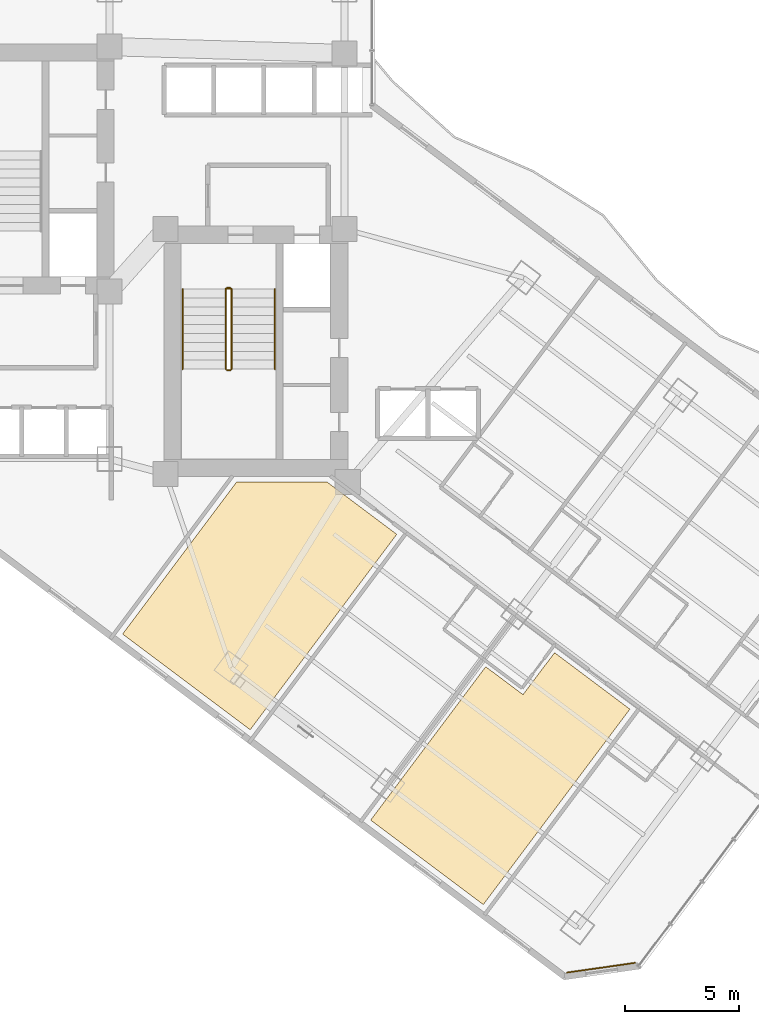
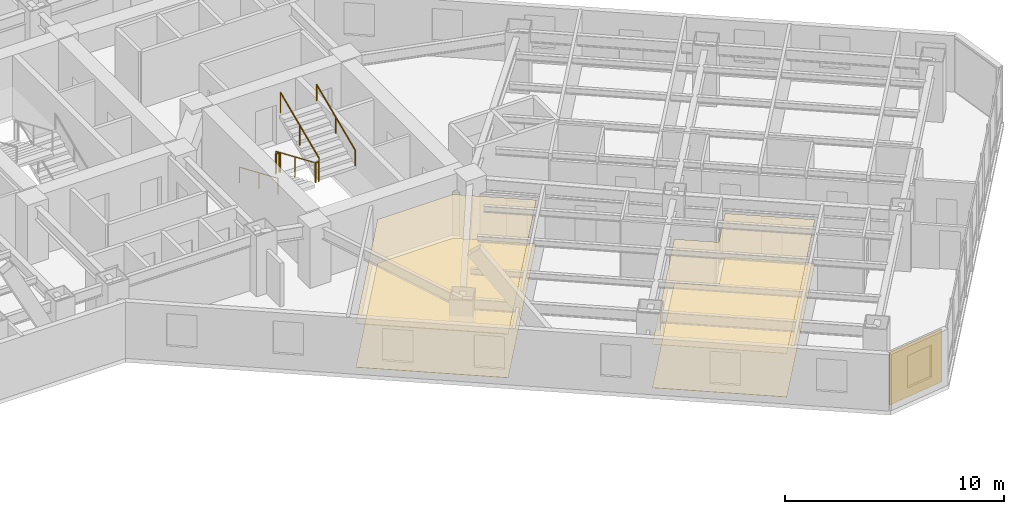
# One storey, part 29 of 32: 7 railings, 5 coverings.
"""IFC4 building model written with IfcOpenShell, lengths in metres."""

from ifc_helpers import new_model, si_unit, direction, frame, origin, origin_2d, place, context, subcontext, project, spatial, polyline, rectangle, circle, outline, extrude, material, layer, layer_set, type_object, element, save


model = new_model("IFC4")

# Units and contexts
model_context = context("Model", 3, precision=1e-05, world=origin(), true_north=direction((0.0, 1.0)))
body_context = subcontext(model_context, "Body", "Model", "MODEL_VIEW")
ifc_project = project(units=[si_unit("LENGTHUNIT", "METRE"), si_unit("AREAUNIT", "SQUARE_METRE"), si_unit("VOLUMEUNIT", "CUBIC_METRE"), si_unit("PLANEANGLEUNIT", "RADIAN"), si_unit("MASSUNIT", "GRAM", prefix="KILO")], contexts=[model_context])

# Site, building, storey
site_placement = place(None, origin())
site = spatial("IfcSite", under=ifc_project, at=site_placement, CompositionType="ELEMENT")
building_placement = place(site_placement, origin())
building = spatial("IfcBuilding", under=site, at=building_placement, Name="Hatsunagi Terrace Concourse", CompositionType="ELEMENT")
storey_placement = place(building_placement, frame((0.0, 0.0, 36.60009765625)))
storey = spatial("IfcBuildingStorey", under=building, at=storey_placement, Name="L08", CompositionType="ELEMENT", Elevation=36.60009765625)

# Coverings
ifc_material_1 = material(Name="Acoustic mineral board", Category="gypsum")
ifc_layer_1 = layer(ifc_material_1, 0.02001953125)
ifc_layer_set_1 = layer_set([ifc_layer_1], Name="AcousticMineralCeiling_20")
covering_type_1 = type_object("IfcCoveringType", Name="AcousticMineralCeiling_20", PredefinedType="CEILING", material=ifc_layer_set_1)
covering_1_placement = place(storey_placement, frame((0.0, 0.0, 2.419921875)))
element("IfcCovering", 1, at=covering_1_placement, inside=storey, type_object=covering_type_1, Name="Suspended Ceiling L08-2", PredefinedType="CEILING", context=body_context, shape_type="SweptSolid", body=[
    extrude(outline(polyline([(49.75, 5.64990234375), (56.181884765625, 14.22607421875), (52.8759765625, 16.705078125), (51.491943359375, 14.862060546875), (49.85302734375, 16.087890625), (44.805908203125, 9.35791015625), (49.75, 5.64990234375)])), origin(), (0.0, 0.0, 1.0), 0.02001953125),
])
ifc_material_2 = material(Name="Hardwood timber", Category="wood")
ifc_layer_2 = layer(ifc_material_2, 0.014892578125)
ifc_layer_set_2 = layer_set([ifc_layer_2], Name="HardwoodTimberFlooring_15")
covering_type_2 = type_object("IfcCoveringType", Name="HardwoodTimberFlooring_15", PredefinedType="FLOORING", material=ifc_layer_set_2)
covering_2_placement = place(storey_placement, origin())
element("IfcCovering", 2, at=covering_2_placement, inside=storey, type_object=covering_type_2, Name="Finished Flooring L08-1", PredefinedType="FLOORING", context=body_context, shape_type="SweptSolid", body=[
    extrude(outline(polyline([(39.51806640625, 13.323974609375), (45.949951171875, 21.89990234375), (42.89697265625, 24.18994140625), (38.9169921875, 24.18994140625), (33.91796875, 17.52392578125), (39.51806640625, 13.323974609375)])), origin(), (0.0, 0.0, 1.0), 0.014892578125),
])
covering_3_placement = place(storey_placement, origin())
element("IfcCovering", 3, at=covering_3_placement, inside=storey, type_object=covering_type_2, Name="Finished Flooring L08-2", PredefinedType="FLOORING", context=body_context, shape_type="SweptSolid", body=[
    extrude(outline(polyline([(49.75, 5.64990234375), (56.181884765625, 14.22607421875), (52.8759765625, 16.705078125), (51.491943359375, 14.862060546875), (49.85302734375, 16.087890625), (44.805908203125, 9.35791015625), (49.75, 5.64990234375)])), origin(), (0.0, 0.0, 1.0), 0.014892578125),
])

# Railings
ifc_material_3 = material(Name="Stainless steel", Category="steel")
ifc_layer_3 = layer(ifc_material_3, 0.044921875)
ifc_layer_set_3 = layer_set([ifc_layer_3], Name="StairPitchHandrail_Tower2000")
railing_type_1 = type_object("IfcRailingType", Name="StairPitchHandrail_Tower2000", PredefinedType="HANDRAIL", material=ifc_layer_set_3)
railing_1_placement = place(storey_placement, frame((36.550048828125, 32.659912109375, 0.16748046875)))
element("IfcRailing", 4, at=railing_1_placement, inside=storey, type_object=railing_type_1, Name="L08 ST-B stair handrail 1", PredefinedType="HANDRAIL", context=body_context, shape_type="SweptSolid", body=[
    extrude(circle(Radius=0.02392578125, at=origin_2d()), frame((0.0, 0.0, 0.8759765625), z_axis=(0.0, -0.918857182807, 0.394590265469), x_axis=(1.0, 0.0, 0.0)), (0.0, 0.0, 1.0), 3.820068359375),
    extrude(circle(Radius=0.02099609375, at=origin_2d()), origin(), (0.0, 0.0, 1.0), 0.851806640625),
    extrude(circle(Radius=0.02099609375, at=origin_2d()), frame((0.0, -1.7548828125, 0.753662109375)), (0.0, 0.0, 1.0), 0.851806640625),
    extrude(circle(Radius=0.02099609375, at=origin_2d()), frame((0.0, -3.510009765625, 1.50732421875)), (0.0, 0.0, 1.0), 0.851806640625),
])
railing_2_placement = place(storey_placement, frame((40.60009765625, 29.14990234375, 1.84228515625)))
element("IfcRailing", 5, at=railing_2_placement, inside=storey, type_object=railing_type_1, Name="L08 ST-B stair handrail 2", PredefinedType="HANDRAIL", context=body_context, shape_type="SweptSolid", body=[
    extrude(circle(Radius=0.02392578125, at=origin_2d()), frame((0.0, 0.0, 0.8759765625), z_axis=(0.0, 0.918834009242, 0.394644223904), x_axis=(-1.0, 0.0, 0.0)), (0.0, 0.0, 1.0), 3.820068359375),
    extrude(circle(Radius=0.02099609375, at=origin_2d()), origin(), (0.0, 0.0, 1.0), 0.851806640625),
    extrude(circle(Radius=0.02099609375, at=origin_2d()), frame((0.0, 1.7548828125, 0.75390625)), (0.0, 0.0, 1.0), 0.851806640625),
    extrude(circle(Radius=0.02099609375, at=origin_2d()), frame((0.0, 3.510009765625, 1.507568359375)), (0.0, 0.0, 1.0), 0.851806640625),
])
ifc_material_4 = material(Name="Stainless steel", Category="steel")
ifc_layer_4 = layer(ifc_material_4, 0.06005859375)
ifc_layer_set_4 = layer_set([ifc_layer_4], Name="StairWellGuard_Tower2000")
railing_type_2 = type_object("IfcRailingType", Name="StairWellGuard_Tower2000", PredefinedType="BALUSTRADE", material=ifc_layer_set_4)
railing_3_placement = place(storey_placement, frame((38.449951171875, 32.659912109375, 0.16748046875)))
element("IfcRailing", 6, at=railing_3_placement, inside=storey, type_object=railing_type_2, Name="L08 ST-B stair guard 1", PredefinedType="BALUSTRADE", context=body_context, shape_type="SweptSolid", body=[
    extrude(circle(Radius=0.02392578125, at=origin_2d()), frame((0.0, 0.0, 1.09619140625), z_axis=(0.0, -0.918857182807, 0.394590265469), x_axis=(1.0, 0.0, 0.0)), (0.0, 0.0, 1.0), 3.820068359375),
    extrude(circle(Radius=0.02099609375, at=origin_2d()), origin(), (0.0, 0.0, 1.0), 1.072021484375),
    extrude(circle(Radius=0.02099609375, at=origin_2d()), frame((0.0, -1.7548828125, 0.753662109375)), (0.0, 0.0, 1.0), 1.072021484375),
    extrude(circle(Radius=0.02099609375, at=origin_2d()), frame((0.0, -3.510009765625, 1.50732421875)), (0.0, 0.0, 1.0), 1.072021484375),
])
railing_4_placement = place(storey_placement, frame((38.5, 29.10009765625, 1.6748046875)))
element("IfcRailing", 7, at=railing_4_placement, inside=storey, type_object=railing_type_2, Name="L08 ST-B stair guard 2", PredefinedType="BALUSTRADE", context=body_context, shape_type="SweptSolid", body=[
    extrude(circle(Radius=0.02392578125, at=origin_2d()), frame((0.0, 0.0, 1.09619140625), z_axis=(1.0, 0.0, 0.0), x_axis=(0.0, 1.0, 0.0)), (0.0, 0.0, 1.0), 0.14990234375),
    extrude(circle(Radius=0.02099609375, at=origin_2d()), origin(), (0.0, 0.0, 1.0), 1.072021484375),
    extrude(circle(Radius=0.02099609375, at=origin_2d()), frame((0.14990234375, 0.0, 0.0)), (0.0, 0.0, 1.0), 1.072021484375),
])
railing_5_placement = place(storey_placement, frame((38.699951171875, 29.14990234375, 1.84228515625)))
element("IfcRailing", 8, at=railing_5_placement, inside=storey, type_object=railing_type_2, Name="L08 ST-B stair guard 3", PredefinedType="BALUSTRADE", context=body_context, shape_type="SweptSolid", body=[
    extrude(circle(Radius=0.02392578125, at=origin_2d()), frame((0.0, 0.0, 1.09619140625), z_axis=(0.0, 0.918834009242, 0.394644223904), x_axis=(-1.0, 0.0, 0.0)), (0.0, 0.0, 1.0), 3.820068359375),
    extrude(circle(Radius=0.02099609375, at=origin_2d()), origin(), (0.0, 0.0, 1.0), 1.072021484375),
    extrude(circle(Radius=0.02099609375, at=origin_2d()), frame((0.0, 1.7548828125, 0.75390625)), (0.0, 0.0, 1.0), 1.072021484375),
    extrude(circle(Radius=0.02099609375, at=origin_2d()), frame((0.0, 3.510009765625, 1.507568359375)), (0.0, 0.0, 1.0), 1.072021484375),
])
railing_6_placement = place(storey_placement, frame((38.5, 32.7099609375, 0.0)))
element("IfcRailing", 9, at=railing_6_placement, inside=storey, type_object=railing_type_2, Name="L08 ST-B stair guard 4", PredefinedType="BALUSTRADE", context=body_context, shape_type="SweptSolid", body=[
    extrude(circle(Radius=0.02392578125, at=origin_2d()), frame((0.0, 0.0, 1.09619140625), z_axis=(1.0, 0.0, 0.0), x_axis=(0.0, 1.0, 0.0)), (0.0, 0.0, 1.0), 0.14990234375),
    extrude(circle(Radius=0.02099609375, at=origin_2d()), origin(), (0.0, 0.0, 1.0), 1.072021484375),
    extrude(circle(Radius=0.02099609375, at=origin_2d()), frame((0.14990234375, 0.0, 0.0)), (0.0, 0.0, 1.0), 1.072021484375),
])
ifc_material_5 = material(Name="Stainless Steel SUS316 Post-and-Rail Guard", Category="steel")
ifc_layer_5 = layer(ifc_material_5, 0.080078125)
ifc_layer_set_5 = layer_set([ifc_layer_5], Name="TerracePlantedGuardRail_1200")
railing_type_3 = type_object("IfcRailingType", Name="TerracePlantedGuardRail_1200", PredefinedType="GUARDRAIL", material=ifc_layer_set_5)
railing_7_placement = place(storey_placement, frame((38.449951171875, 32.679931640625, 0.0)))
element("IfcRailing", 10, at=railing_7_placement, inside=storey, type_object=railing_type_3, Name="Stair ST-B Well Closure Guard L08", PredefinedType="GUARDRAIL", context=body_context, shape_type="SweptSolid", body=[
    extrude(circle(Radius=0.02392578125, at=origin_2d()), frame((0.0, 0.0, 1.09619140625), z_axis=(1.0, 0.0, 0.0), x_axis=(0.0, 1.0, 0.0)), (0.0, 0.0, 1.0), 0.25),
    extrude(circle(Radius=0.02099609375, at=origin_2d()), origin(), (0.0, 0.0, 1.0), 1.072021484375),
    extrude(circle(Radius=0.02099609375, at=origin_2d()), frame((0.25, 0.0, 0.0)), (0.0, 0.0, 1.0), 1.072021484375),
])

# Coverings
ifc_material_6 = material(Name="Unglazed Warm Terracotta Rainscreen Tile", Category="masonry")
ifc_layer_6 = layer(ifc_material_6, 0.044921875)
ifc_layer_set_6 = layer_set([ifc_layer_6], Name="TerracottaRainscreenCladding_45")
covering_type_3 = type_object("IfcCoveringType", Name="TerracottaRainscreenCladding_45", PredefinedType="CLADDING", material=ifc_layer_set_6)
covering_4_placement = place(storey_placement, frame((54.91796875, 2.87890625, 0.10009765625), z_axis=(0.0, 0.0, 1.0), x_axis=(-0.989973920543, -0.141250262458, 0.0)))
element("IfcCovering", 11, at=covering_4_placement, inside=storey, type_object=covering_type_3, Name="Terracotta Rainscreen Cladding L08-04", PredefinedType="CLADDING", context=body_context, shape_type="SweptSolid", body=[
    extrude(rectangle(XDim=3.0380859375, YDim=0.044921875, at=origin_2d()), origin(), (0.0, 0.0, 1.0), 2.929931640625),
])
ifc_material_7 = material(Name="Hardwood timber", Category="wood")
ifc_layer_7 = layer(ifc_material_7, 0.034912109375)
ifc_layer_set_7 = layer_set([ifc_layer_7], Name="TimberBaffleCeiling_35")
covering_type_4 = type_object("IfcCoveringType", Name="TimberBaffleCeiling_35", PredefinedType="CEILING", material=ifc_layer_set_7)
covering_5_placement = place(storey_placement, frame((0.0, 0.0, 2.419921875)))
element("IfcCovering", 12, at=covering_5_placement, inside=storey, type_object=covering_type_4, Name="Suspended Ceiling L08-1", PredefinedType="CEILING", context=body_context, shape_type="SweptSolid", body=[
    extrude(outline(polyline([(39.51806640625, 13.323974609375), (45.949951171875, 21.89990234375), (42.89697265625, 24.18994140625), (38.9169921875, 24.18994140625), (33.91796875, 17.52392578125), (39.51806640625, 13.323974609375)])), origin(), (0.0, 0.0, 1.0), 0.034912109375),
])

save(model, "model.ifc")
